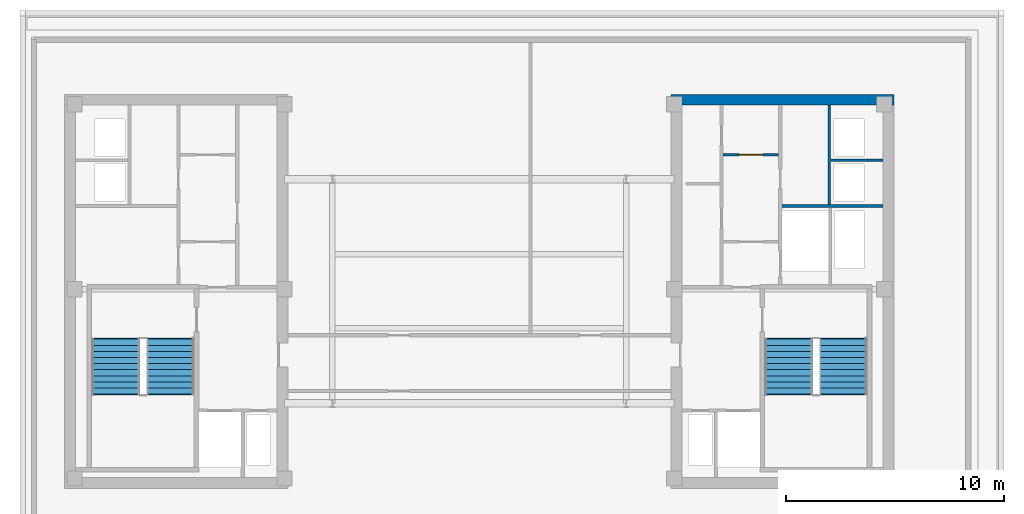
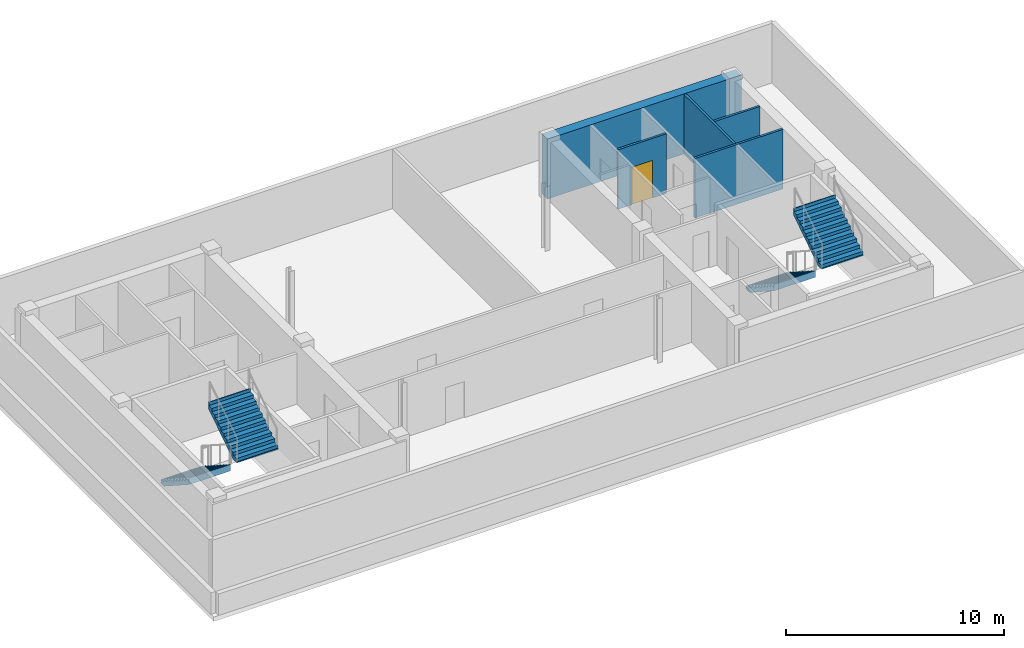
# One storey, part 4 of 7: 5 walls, 4 stair flights, 1 door, 1 opening, 2 elements without a shape of their own.
"""IFC4 building model written with IfcOpenShell, lengths in metres."""

from ifc_helpers import new_model, si_unit, direction, frame, frame_2d, origin, place, context, subcontext, project, spatial, polyline, rectangle, outline, extrude, material, layer, layer_set, type_object, element, fill, aggregate, save


model = new_model("IFC4")

# Units and contexts
model_context = context("Model", 3, precision=1e-05, world=origin(), true_north=direction((0.0, 1.0)))
body_context = subcontext(model_context, "Body", "Model", "MODEL_VIEW")
ifc_project = project(units=[si_unit("LENGTHUNIT", "METRE"), si_unit("AREAUNIT", "SQUARE_METRE"), si_unit("VOLUMEUNIT", "CUBIC_METRE"), si_unit("PLANEANGLEUNIT", "RADIAN"), si_unit("MASSUNIT", "GRAM", prefix="KILO")], contexts=[model_context])

# Site, building, storey
site_placement = place(None, origin())
site = spatial("IfcSite", under=ifc_project, at=site_placement, CompositionType="ELEMENT")
building_placement = place(site_placement, origin())
building = spatial("IfcBuilding", under=site, at=building_placement, Name="Velakula Bourse", CompositionType="ELEMENT")
storey_placement = place(building_placement, frame((0.0, 0.0, 297.75)))
storey = spatial("IfcBuildingStorey", under=building, at=storey_placement, Name="L81", CompositionType="ELEMENT", Elevation=297.75)

# Wall
ifc_material_1 = material(Name="Concrete M50 (fck 50 MPa)", Category="concrete")
ifc_layer_1 = layer(ifc_material_1, 0.5, Name="Concrete M50 (fck 50 MPa)", Category="concrete")
ifc_layer_set_1 = layer_set([ifc_layer_1], Name="Concrete M50 (fck 50 MPa)")
wall_type_1 = type_object("IfcWallType", Name="WL-CORE-500", PredefinedType="SHEAR", material=ifc_layer_set_1)
wall_1_placement = place(storey_placement, frame((8.800048828125, 8.800048828125, 0.0), z_axis=(0.0, 0.0, 1.0), x_axis=(1.0, 0.0, 0.0)))
element("IfcWall", 1, at=wall_1_placement, inside=storey, type_object=wall_type_1, Name="L81 Core E Shear Wall N", PredefinedType="SHEAR", context=body_context, shape_type="SweptSolid", body=[
    extrude(rectangle(XDim=10.25, YDim=0.5, at=frame_2d((5.125, 0.0))), origin(), (0.0, 0.0, 1.0), 3.35009765625),
])

# Wall, opening, door
ifc_material_2 = material(Name="Fire-rated double-layer gypsum drywall partition", Category="gypsum")
ifc_layer_2 = layer(ifc_material_2, 0.1201171875, Name="Fire-rated double-layer gypsum drywall partition", Category="gypsum")
ifc_layer_set_2 = layer_set([ifc_layer_2], Name="Fire-rated double-layer gypsum drywall partition")
wall_type_2 = type_object("IfcWallType", Name="WL-PART-120", PredefinedType="STANDARD", material=ifc_layer_set_2)
wall_2_placement = place(storey_placement, frame((11.199951171875, 6.280029296875, 0.0), z_axis=(0.0, 0.0, 1.0), x_axis=(1.0, 0.0, 0.0)))
wall_2 = element("IfcWall", 2, at=wall_2_placement, inside=storey, type_object=wall_type_2, Name="L81 Interior Partition WL-CRE-L81-LL-K3B", PredefinedType="STANDARD", context=body_context, shape_type="SweptSolid", body=[
    extrude(rectangle(XDim=2.550048828125, YDim=0.1201171875, at=frame_2d((1.27490234375, 0.0))), origin(), (0.0, 0.0, 1.0), 3.330078125),
])
opening_placement = place(wall_2_placement, frame((0.72509765625, 0.0, 0.0)))
opening = element("IfcOpeningElement", 3, at=opening_placement, cuts=wall_2, Name="Opening D-LK3", PredefinedType="OPENING", context=body_context, shape_type="SweptSolid", body=[
    extrude(rectangle(XDim=1.10009765625, YDim=2.10009765625, at=frame_2d((0.550048828125, 1.050048828125))), frame((0.0, 0.070068359375, 0.0), z_axis=(0.0, -1.0, 0.0), x_axis=(1.0, 0.0, 0.0)), (0.0, 0.0, 1.0), 0.14013671875),
])
ifc_material_3 = material(Name="Fire-rated hardwood flush architectural door", Category="wood")
door_type = type_object("IfcDoorType", Name="DR-FD60-1100x2100", OperationType="NOTDEFINED", PredefinedType="DOOR", material=ifc_material_3)
door_placement = place(opening_placement, origin())
door = element("IfcDoor", 4, at=door_placement, inside=storey, type_object=door_type, Name="L81 Core E Lift Lobby Vestibule Door B", OperationType="SINGLE_SWING_RIGHT", OverallHeight=2.10009765625, OverallWidth=1.10009765625, PredefinedType="DOOR", context=body_context, shape_type="SweptSolid", body=[
    extrude(rectangle(XDim=1.10009765625, YDim=2.10009765625, at=frame_2d((0.550048828125, 1.050048828125))), frame((0.0, 0.02490234375, 0.0), z_axis=(0.0, -1.0, 0.0), x_axis=(1.0, 0.0, 0.0)), (0.0, 0.0, 1.0), 0.050048828125),
])
fill(opening, door)

# Walls
wall_3_placement = place(storey_placement, frame((13.89990234375, 3.919921875, 0.0), z_axis=(0.0, 0.0, 1.0), x_axis=(1.0, 0.0, 0.0)))
element("IfcWall", 5, at=wall_3_placement, inside=storey, type_object=wall_type_2, Name="L81 Interior Partition WL-CRE-L81-HI-S", PredefinedType="STANDARD", context=body_context, shape_type="SweptSolid", body=[
    extrude(rectangle(XDim=4.650146484375, YDim=0.1201171875, at=frame_2d((2.3251953125, 0.0))), origin(), (0.0, 0.0, 1.0), 3.330078125),
])
wall_4_placement = place(storey_placement, frame((16.14990234375, 6.030029296875, 0.0), z_axis=(0.0, 0.0, 1.0), x_axis=(1.0, 0.0, 0.0)))
element("IfcWall", 6, at=wall_4_placement, inside=storey, type_object=wall_type_2, Name="L81 Interior Partition WL-CRE-L81-RIS-MID", PredefinedType="STANDARD", context=body_context, shape_type="SweptSolid", body=[
    extrude(rectangle(XDim=2.400146484375, YDim=0.1201171875, at=frame_2d((1.2001953125, 0.0))), origin(), (0.0, 0.0, 1.0), 3.330078125),
])
wall_5_placement = place(storey_placement, frame((16.074951171875, 3.97998046875, 0.0), z_axis=(0.0, 0.0, 1.0), x_axis=(0.0, 1.0, 0.0)))
element("IfcWall", 7, at=wall_5_placement, inside=storey, type_object=wall_type_2, Name="L81 Interior Partition WL-CRE-L81-RIS-F", PredefinedType="STANDARD", context=body_context, shape_type="SweptSolid", body=[
    extrude(rectangle(XDim=4.570068359375, YDim=0.1201171875, at=frame_2d((2.28515625, 0.0))), origin(), (0.0, 0.0, 1.0), 3.330078125),
])

# Stair, stair flights
ifc_material_4 = material(Name="Concrete M45 (fck 45 MPa)", Category="concrete")
stair_type = type_object("IfcStairType", Name="STR-DOG-390", PredefinedType="HALF_TURN_STAIR", material=ifc_material_4)
stair_1_placement = place(storey_placement, origin())
stair_1 = element("IfcStair", 8, at=stair_1_placement, inside=storey, type_object=stair_type, Name="L81 West Core Exit Stair ST-W1", PredefinedType="HALF_TURN_STAIR")
ifc_layer_3 = layer(ifc_material_4, 0.195068359375, Name="Concrete M45 (fck 45 MPa)", Category="concrete")
ifc_layer_set_3 = layer_set([ifc_layer_3], Name="Concrete M45 (fck 45 MPa)")
stair_flight_type = type_object("IfcStairFlightType", Name="FLT-DOG-390", PredefinedType="STRAIGHT", material=ifc_layer_set_3)
stair_flight_1_placement = place(storey_placement, frame((-16.720947265625, -2.199951171875, 0.0), z_axis=(0.0, 0.0, 1.0), x_axis=(0.0, -1.0, 0.0)))
stair_flight_1 = element("IfcStairFlight", 9, at=stair_flight_1_placement, type_object=stair_flight_type, Name="ST-W1 flight 1", NumberOfRisers=10, NumberOfTreads=9, PredefinedType="STRAIGHT", RiserHeight=0.18, TreadLength=0.28, context=body_context, shape_type="SweptSolid", body=[
    extrude(outline(polyline([(-0.044921875, -0.0400390625), (-0.044921875, -0.036865234375), (-0.044921875, -0.033935546875), (-0.044921875, -0.03076171875), (-0.044921875, -0.027587890625), (-0.044921875, -0.024658203125), (-0.044921875, -0.021484375), (-0.044921875, -0.0185546875), (-0.044921875, -0.015380859375), (-0.044921875, -0.01220703125), (-0.044921875, -0.00927734375), (-0.044921875, -0.006103515625), (-0.044921875, -0.003173828125), (-0.044921875, 0.0), (0.0, 0.0), (0.0, 0.179931640625), (0.280029296875, 0.179931640625), (0.280029296875, 0.360107421875), (0.56005859375, 0.360107421875), (0.56005859375, 0.5400390625), (0.840087890625, 0.5400390625), (0.840087890625, 0.719970703125), (1.1201171875, 0.719970703125), (1.1201171875, 0.89990234375), (1.39990234375, 0.89990234375), (1.39990234375, 1.080078125), (1.679931640625, 1.080078125), (1.679931640625, 1.260009765625), (1.9599609375, 1.260009765625), (1.9599609375, 1.43994140625), (2.239990234375, 1.43994140625), (2.239990234375, 1.6201171875), (2.52001953125, 1.6201171875), (2.52001953125, 1.800048828125), (2.56494140625, 1.800048828125), (2.56494140625, 1.7744140625), (2.56494140625, 1.748779296875), (2.56494140625, 1.72314453125), (2.56494140625, 1.69775390625), (2.56494140625, 1.672119140625), (2.56494140625, 1.646484375), (2.56494140625, 1.620849609375), (2.56494140625, 1.59521484375), (2.56494140625, 1.56982421875), (2.56494140625, 1.544189453125), (2.56494140625, 1.5185546875), (2.56494140625, 1.492919921875), (2.56494140625, 1.46728515625), (2.56494140625, 1.44189453125), (0.277099609375, -0.0400390625), (-0.044921875, -0.0400390625)])), frame((0.0, 1.09912109375, 0.0), z_axis=(0.0, -1.0, 0.0), x_axis=(1.0, 0.0, 0.0)), (0.0, 0.0, 1.0), 2.197998046875),
])
stair_flight_2_placement = place(storey_placement, frame((-14.198974609375, -4.719970703125, 1.800048828125), z_axis=(0.0, 0.0, 1.0), x_axis=(0.0, 1.0, 0.0)))
stair_flight_2 = element("IfcStairFlight", 10, at=stair_flight_2_placement, type_object=stair_flight_type, Name="ST-W1 flight 2", NumberOfRisers=10, NumberOfTreads=9, PredefinedType="STRAIGHT", RiserHeight=0.18, TreadLength=0.28, context=body_context, shape_type="SweptSolid", body=[
    extrude(outline(polyline([(-0.044921875, -0.0400390625), (-0.044921875, -0.036865234375), (-0.044921875, -0.033935546875), (-0.044921875, -0.03076171875), (-0.044921875, -0.027587890625), (-0.044921875, -0.024658203125), (-0.044921875, -0.021484375), (-0.044921875, -0.0185546875), (-0.044921875, -0.015380859375), (-0.044921875, -0.01220703125), (-0.044921875, -0.00927734375), (-0.044921875, -0.006103515625), (-0.044921875, -0.003173828125), (-0.044921875, 0.0), (0.0, 0.0), (0.0, 0.179931640625), (0.280029296875, 0.179931640625), (0.280029296875, 0.360107421875), (0.56005859375, 0.360107421875), (0.56005859375, 0.5400390625), (0.840087890625, 0.5400390625), (0.840087890625, 0.719970703125), (1.1201171875, 0.719970703125), (1.1201171875, 0.89990234375), (1.39990234375, 0.89990234375), (1.39990234375, 1.080078125), (1.679931640625, 1.080078125), (1.679931640625, 1.260009765625), (1.9599609375, 1.260009765625), (1.9599609375, 1.43994140625), (2.239990234375, 1.43994140625), (2.239990234375, 1.6201171875), (2.52001953125, 1.6201171875), (2.52001953125, 1.800048828125), (2.56494140625, 1.800048828125), (2.56494140625, 1.7744140625), (2.56494140625, 1.748779296875), (2.56494140625, 1.72314453125), (2.56494140625, 1.69775390625), (2.56494140625, 1.672119140625), (2.56494140625, 1.646484375), (2.56494140625, 1.620849609375), (2.56494140625, 1.59521484375), (2.56494140625, 1.56982421875), (2.56494140625, 1.544189453125), (2.56494140625, 1.5185546875), (2.56494140625, 1.492919921875), (2.56494140625, 1.46728515625), (2.56494140625, 1.44189453125), (0.277099609375, -0.0400390625), (-0.044921875, -0.0400390625)])), frame((0.0, 1.09912109375, 0.0), z_axis=(0.0, -1.0, 0.0), x_axis=(1.0, 0.0, 0.0)), (0.0, 0.0, 1.0), 2.197998046875),
])
aggregate(stair_1, [stair_flight_1, stair_flight_2])

stair_2_placement = place(storey_placement, origin())
stair_2 = element("IfcStair", 11, at=stair_2_placement, inside=storey, type_object=stair_type, Name="L81 East Core Exit Stair ST-E1", PredefinedType="HALF_TURN_STAIR")
stair_flight_3_placement = place(storey_placement, frame((14.198974609375, -2.199951171875, 0.0), z_axis=(0.0, 0.0, 1.0), x_axis=(0.0, -1.0, 0.0)))
stair_flight_3 = element("IfcStairFlight", 12, at=stair_flight_3_placement, type_object=stair_flight_type, Name="ST-E1 flight 1", NumberOfRisers=10, NumberOfTreads=9, PredefinedType="STRAIGHT", RiserHeight=0.18, TreadLength=0.28, context=body_context, shape_type="SweptSolid", body=[
    extrude(outline(polyline([(-0.044921875, -0.0400390625), (-0.044921875, -0.036865234375), (-0.044921875, -0.033935546875), (-0.044921875, -0.03076171875), (-0.044921875, -0.027587890625), (-0.044921875, -0.024658203125), (-0.044921875, -0.021484375), (-0.044921875, -0.0185546875), (-0.044921875, -0.015380859375), (-0.044921875, -0.01220703125), (-0.044921875, -0.00927734375), (-0.044921875, -0.006103515625), (-0.044921875, -0.003173828125), (-0.044921875, 0.0), (0.0, 0.0), (0.0, 0.179931640625), (0.280029296875, 0.179931640625), (0.280029296875, 0.360107421875), (0.56005859375, 0.360107421875), (0.56005859375, 0.5400390625), (0.840087890625, 0.5400390625), (0.840087890625, 0.719970703125), (1.1201171875, 0.719970703125), (1.1201171875, 0.89990234375), (1.39990234375, 0.89990234375), (1.39990234375, 1.080078125), (1.679931640625, 1.080078125), (1.679931640625, 1.260009765625), (1.9599609375, 1.260009765625), (1.9599609375, 1.43994140625), (2.239990234375, 1.43994140625), (2.239990234375, 1.6201171875), (2.52001953125, 1.6201171875), (2.52001953125, 1.800048828125), (2.56494140625, 1.800048828125), (2.56494140625, 1.7744140625), (2.56494140625, 1.748779296875), (2.56494140625, 1.72314453125), (2.56494140625, 1.69775390625), (2.56494140625, 1.672119140625), (2.56494140625, 1.646484375), (2.56494140625, 1.620849609375), (2.56494140625, 1.59521484375), (2.56494140625, 1.56982421875), (2.56494140625, 1.544189453125), (2.56494140625, 1.5185546875), (2.56494140625, 1.492919921875), (2.56494140625, 1.46728515625), (2.56494140625, 1.44189453125), (0.277099609375, -0.0400390625), (-0.044921875, -0.0400390625)])), frame((0.0, 1.09912109375, 0.0), z_axis=(0.0, -1.0, 0.0), x_axis=(1.0, 0.0, 0.0)), (0.0, 0.0, 1.0), 2.197998046875),
])
stair_flight_4_placement = place(storey_placement, frame((16.720947265625, -4.719970703125, 1.800048828125), z_axis=(0.0, 0.0, 1.0), x_axis=(0.0, 1.0, 0.0)))
stair_flight_4 = element("IfcStairFlight", 13, at=stair_flight_4_placement, type_object=stair_flight_type, Name="ST-E1 flight 2", NumberOfRisers=10, NumberOfTreads=9, PredefinedType="STRAIGHT", RiserHeight=0.18, TreadLength=0.28, context=body_context, shape_type="SweptSolid", body=[
    extrude(outline(polyline([(-0.044921875, -0.0400390625), (-0.044921875, -0.036865234375), (-0.044921875, -0.033935546875), (-0.044921875, -0.03076171875), (-0.044921875, -0.027587890625), (-0.044921875, -0.024658203125), (-0.044921875, -0.021484375), (-0.044921875, -0.0185546875), (-0.044921875, -0.015380859375), (-0.044921875, -0.01220703125), (-0.044921875, -0.00927734375), (-0.044921875, -0.006103515625), (-0.044921875, -0.003173828125), (-0.044921875, 0.0), (0.0, 0.0), (0.0, 0.179931640625), (0.280029296875, 0.179931640625), (0.280029296875, 0.360107421875), (0.56005859375, 0.360107421875), (0.56005859375, 0.5400390625), (0.840087890625, 0.5400390625), (0.840087890625, 0.719970703125), (1.1201171875, 0.719970703125), (1.1201171875, 0.89990234375), (1.39990234375, 0.89990234375), (1.39990234375, 1.080078125), (1.679931640625, 1.080078125), (1.679931640625, 1.260009765625), (1.9599609375, 1.260009765625), (1.9599609375, 1.43994140625), (2.239990234375, 1.43994140625), (2.239990234375, 1.6201171875), (2.52001953125, 1.6201171875), (2.52001953125, 1.800048828125), (2.56494140625, 1.800048828125), (2.56494140625, 1.7744140625), (2.56494140625, 1.748779296875), (2.56494140625, 1.72314453125), (2.56494140625, 1.69775390625), (2.56494140625, 1.672119140625), (2.56494140625, 1.646484375), (2.56494140625, 1.620849609375), (2.56494140625, 1.59521484375), (2.56494140625, 1.56982421875), (2.56494140625, 1.544189453125), (2.56494140625, 1.5185546875), (2.56494140625, 1.492919921875), (2.56494140625, 1.46728515625), (2.56494140625, 1.44189453125), (0.277099609375, -0.0400390625), (-0.044921875, -0.0400390625)])), frame((0.0, 1.09912109375, 0.0), z_axis=(0.0, -1.0, 0.0), x_axis=(1.0, 0.0, 0.0)), (0.0, 0.0, 1.0), 2.197998046875),
])
aggregate(stair_2, [stair_flight_3, stair_flight_4])

save(model, "model.ifc")
